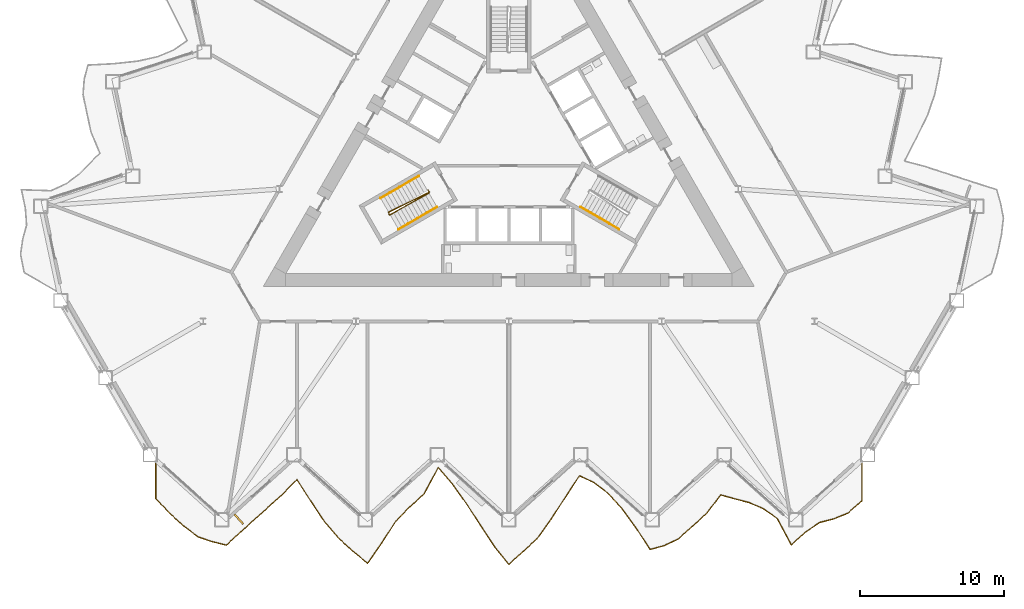
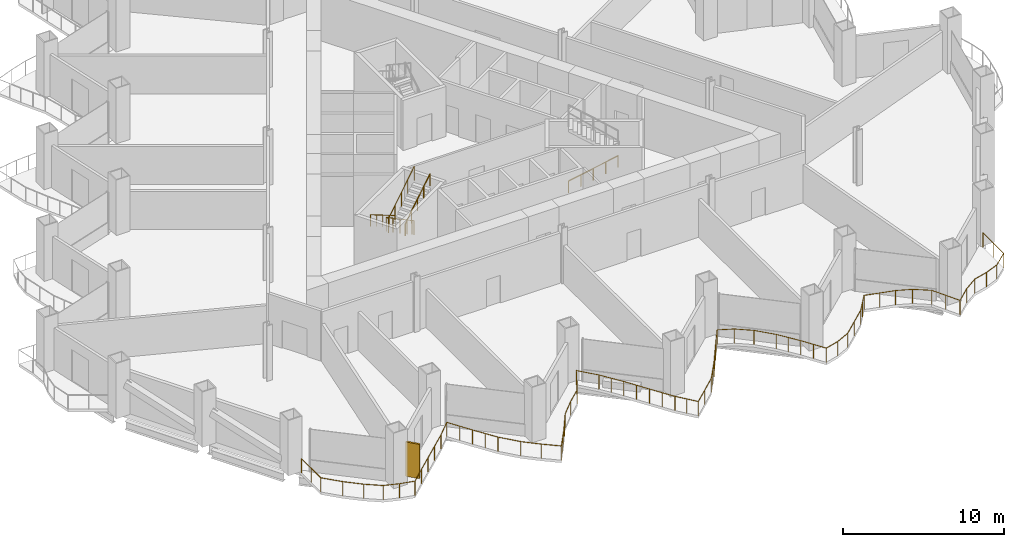
# One storey, part 16 of 20: 5 railings, 1 shading device.
"""IFC4 building model written with IfcOpenShell, lengths in metres."""

from ifc_helpers import new_model, si_unit, direction, frame, origin, origin_2d, place, context, subcontext, project, spatial, rectangle, circle, extrude, material, layer, layer_set, type_object, element, save


model = new_model("IFC4")

# Units and contexts
model_context = context("Model", 3, precision=1e-05, world=origin(), true_north=direction((0.0, 1.0)))
body_context = subcontext(model_context, "Body", "Model", "MODEL_VIEW")
ifc_project = project(units=[si_unit("LENGTHUNIT", "METRE"), si_unit("AREAUNIT", "SQUARE_METRE"), si_unit("VOLUMEUNIT", "CUBIC_METRE"), si_unit("PLANEANGLEUNIT", "RADIAN"), si_unit("MASSUNIT", "GRAM", prefix="KILO")], contexts=[model_context])

# Site, building, storey
site_placement = place(None, origin())
site = spatial("IfcSite", under=ifc_project, at=site_placement, CompositionType="ELEMENT")
building_placement = place(site_placement, origin())
building = spatial("IfcBuilding", under=site, at=building_placement, Name="Cormorant Prow Tower", CompositionType="ELEMENT")
storey_placement = place(building_placement, frame((0.0, 0.0, 59.39990234375)))
storey = spatial("IfcBuildingStorey", under=building, at=storey_placement, Name="L12", CompositionType="ELEMENT", Elevation=59.39990234375)

# Railings
ifc_material_1 = material(Name="Aluminium 6063-T6", Category="aluminium")
railing_type_1 = type_object("IfcRailingType", Name="Balcony guard 1100", PredefinedType="GUARDRAIL", material=ifc_material_1)
railing_1_placement = place(storey_placement, frame((-24.43896484375, -22.06591796875, 0.0)))
element("IfcRailing", 1, at=railing_1_placement, inside=storey, type_object=railing_type_1, Name="Balcony guard S", PredefinedType="GUARDRAIL", context=body_context, shape_type="SweptSolid", body=[
    extrude(circle(Radius=0.02392578125, at=origin_2d()), frame((0.0, 0.0, 1.076171875), z_axis=(0.0, -1.0, 0.0), x_axis=(1.0, 0.0, 0.0)), (0.0, 0.0, 1.0), 2.40380859375),
    extrude(circle(Radius=0.02392578125, at=origin_2d()), frame((0.0, -2.40380859375, 1.076171875), z_axis=(0.682749378861, -0.730652643645, 0.0), x_axis=(0.730652643645, 0.682749378861, 0.0)), (0.0, 0.0, 1.0), 1.43212890625),
    extrude(circle(Radius=0.02392578125, at=origin_2d()), frame((0.977783203125, -3.4501953125, 1.076171875), z_axis=(0.743164926257, -0.669108281507, 0.0), x_axis=(0.669108281507, 0.743164926257, 0.0)), (0.0, 0.0, 1.0), 1.3154296875),
    extrude(circle(Radius=0.02392578125, at=origin_2d()), frame((1.955322265625, -4.330322265625, 1.076171875), z_axis=(0.800191813283, -0.599744163752, 0.0), x_axis=(0.599744163752, 0.800191813283, 0.0)), (0.0, 0.0, 1.0), 1.2216796875),
    extrude(circle(Radius=0.02392578125, at=origin_2d()), frame((2.932861328125, -5.06298828125, 1.076171875), z_axis=(0.945931449226, -0.324366603344, 0.0), x_axis=(0.324366603344, 0.945931449226, 0.0)), (0.0, 0.0, 1.0), 1.033447265625),
    extrude(circle(Radius=0.02392578125, at=origin_2d()), frame((3.910400390625, -5.398193359375, 1.076171875), z_axis=(0.970710252446, -0.240253211832, 0.0), x_axis=(0.240253211832, 0.970710252446, 0.0)), (0.0, 0.0, 1.0), 1.007080078125),
    extrude(circle(Radius=0.02392578125, at=origin_2d()), frame((4.887939453125, -5.64013671875, 1.076171875), z_axis=(0.73590170634, 0.677088383156, 0.0), x_axis=(-0.677088383156, 0.73590170634, 0.0)), (0.0, 0.0, 1.0), 1.328369140625),
    extrude(circle(Radius=0.02392578125, at=origin_2d()), frame((5.865478515625, -4.74072265625, 1.076171875), z_axis=(0.743164926257, 0.669108281507, 0.0), x_axis=(-0.669108281507, 0.743164926257, 0.0)), (0.0, 0.0, 1.0), 1.3154296875),
    extrude(circle(Radius=0.02392578125, at=origin_2d()), frame((6.843017578125, -3.860595703125, 1.076171875), z_axis=(0.743164926257, 0.669108281507, 0.0), x_axis=(-0.669108281507, 0.743164926257, 0.0)), (0.0, 0.0, 1.0), 1.3154296875),
    extrude(circle(Radius=0.02392578125, at=origin_2d()), frame((7.820556640625, -2.98046875, 1.076171875), z_axis=(0.743072636804, 0.669210771307, 0.0), x_axis=(-0.669210771307, 0.743072636804, 0.0)), (0.0, 0.0, 1.0), 1.3154296875),
    extrude(circle(Radius=0.02392578125, at=origin_2d()), frame((8.798095703125, -2.10009765625, 1.076171875), z_axis=(0.703495793656, 0.710699421913, 0.0), x_axis=(-0.710699421913, 0.703495793656, 0.0)), (0.0, 0.0, 1.0), 1.3896484375),
    extrude(circle(Radius=0.02392578125, at=origin_2d()), frame((9.775634765625, -1.112548828125, 1.076171875), z_axis=(0.541707706486, -0.840566928171, 0.0), x_axis=(0.840566928171, 0.541707706486, 0.0)), (0.0, 0.0, 1.0), 1.804443359375),
    extrude(circle(Radius=0.02392578125, at=origin_2d()), frame((10.753173828125, -2.62939453125, 1.076171875), z_axis=(0.557073835636, -0.830462968259, 0.0), x_axis=(0.830462968259, 0.557073835636, 0.0)), (0.0, 0.0, 1.0), 1.7548828125),
    extrude(circle(Radius=0.02392578125, at=origin_2d()), frame((11.730712890625, -4.086669921875, 1.076171875), z_axis=(0.656227405116, -0.754563180108, 0.0), x_axis=(0.754563180108, 0.656227405116, 0.0)), (0.0, 0.0, 1.0), 1.48974609375),
    extrude(circle(Radius=0.02392578125, at=origin_2d()), frame((12.708251953125, -5.210693359375, 1.076171875), z_axis=(0.743164926257, -0.669108281507, 0.0), x_axis=(0.669108281507, 0.743164926257, 0.0)), (0.0, 0.0, 1.0), 1.3154296875),
    extrude(circle(Radius=0.02392578125, at=origin_2d()), frame((13.685791015625, -6.0908203125, 1.076171875), z_axis=(0.773087932909, -0.634298863306, 0.0), x_axis=(0.634298863306, 0.773087932909, 0.0)), (0.0, 0.0, 1.0), 1.264892578125),
    extrude(circle(Radius=0.02392578125, at=origin_2d()), frame((14.66357421875, -6.89306640625, 1.076171875), z_axis=(0.573702786451, 0.819063558473, 0.0), x_axis=(-0.819063558473, 0.573702786451, 0.0)), (0.0, 0.0, 1.0), 1.703369140625),
    extrude(circle(Radius=0.02392578125, at=origin_2d()), frame((15.640869140625, -5.497802734375, 1.076171875), z_axis=(0.542419899363, 0.840107524532, 0.0), x_axis=(-0.840107524532, 0.542419899363, 0.0)), (0.0, 0.0, 1.0), 1.802734375),
    extrude(circle(Radius=0.02392578125, at=origin_2d()), frame((16.61865234375, -3.9833984375, 1.076171875), z_axis=(0.697894538056, 0.716200540178, 0.0), x_axis=(-0.716200540178, 0.697894538056, 0.0)), (0.0, 0.0, 1.0), 1.400390625),
    extrude(circle(Radius=0.02392578125, at=origin_2d()), frame((17.595947265625, -2.98046875, 1.076171875), z_axis=(0.743155731483, 0.669118493814, 0.0), x_axis=(-0.669118493814, 0.743155731483, 0.0)), (0.0, 0.0, 1.0), 1.315673828125),
    extrude(circle(Radius=0.02392578125, at=origin_2d()), frame((18.57373046875, -2.10009765625, 1.076171875), z_axis=(0.473014567335, 0.88105460619, 0.0), x_axis=(-0.88105460619, 0.473014567335, 0.0)), (0.0, 0.0, 1.0), 2.066650390625),
    extrude(circle(Radius=0.02392578125, at=origin_2d()), frame((19.55126953125, -0.279296875, 1.076171875), z_axis=(0.658667639048, -0.75243401124, 0.0), x_axis=(0.75243401124, 0.658667639048, 0.0)), (0.0, 0.0, 1.0), 1.484130859375),
    extrude(circle(Radius=0.02392578125, at=origin_2d()), frame((20.52880859375, -1.39599609375, 1.076171875), z_axis=(0.578406056715, -0.815749001566, 0.0), x_axis=(0.815749001566, 0.578406056715, 0.0)), (0.0, 0.0, 1.0), 1.68994140625),
    extrude(circle(Radius=0.02392578125, at=origin_2d()), frame((21.50634765625, -2.774658203125, 1.076171875), z_axis=(0.543251278157, -0.839570157152, 0.0), x_axis=(0.839570157152, 0.543251278157, 0.0)), (0.0, 0.0, 1.0), 1.79931640625),
    extrude(circle(Radius=0.02392578125, at=origin_2d()), frame((22.48388671875, -4.285400390625, 1.076171875), z_axis=(0.551580869902, -0.834121420393, 0.0), x_axis=(0.834121420393, 0.551580869902, 0.0)), (0.0, 0.0, 1.0), 1.772216796875),
    extrude(circle(Radius=0.02392578125, at=origin_2d()), frame((23.46142578125, -5.763671875, 1.076171875), z_axis=(0.62928412672, -0.777175326331, 0.0), x_axis=(0.777175326331, 0.62928412672, 0.0)), (0.0, 0.0, 1.0), 1.553466796875),
    extrude(circle(Radius=0.02392578125, at=origin_2d()), frame((24.43896484375, -6.970947265625, 1.076171875), z_axis=(0.743164926257, 0.669108281507, 0.0), x_axis=(-0.669108281507, 0.743164926257, 0.0)), (0.0, 0.0, 1.0), 1.3154296875),
    extrude(circle(Radius=0.02392578125, at=origin_2d()), frame((25.41650390625, -6.0908203125, 1.076171875), z_axis=(0.737368143319, 0.675491096328, 0.0), x_axis=(-0.675491096328, 0.737368143319, 0.0)), (0.0, 0.0, 1.0), 1.32568359375),
    extrude(circle(Radius=0.02392578125, at=origin_2d()), frame((26.39404296875, -5.1953125, 1.076171875), z_axis=(0.583275794096, 0.812274182787, 0.0), x_axis=(-0.812274182787, 0.583275794096, 0.0)), (0.0, 0.0, 1.0), 1.676025390625),
    extrude(circle(Radius=0.02392578125, at=origin_2d()), frame((27.37158203125, -3.833984375, 1.076171875), z_axis=(0.544429050445, 0.838806896152, 0.0), x_axis=(-0.838806896152, 0.544429050445, 0.0)), (0.0, 0.0, 1.0), 1.79541015625),
    extrude(circle(Radius=0.02392578125, at=origin_2d()), frame((28.34912109375, -2.327880859375, 1.076171875), z_axis=(0.549306544143, 0.835620919174, 0.0), x_axis=(-0.835620919174, 0.549306544143, 0.0)), (0.0, 0.0, 1.0), 1.779541015625),
    extrude(circle(Radius=0.02392578125, at=origin_2d()), frame((29.32666015625, -0.8408203125, 1.076171875), z_axis=(0.908218126724, -0.418497113838, 0.0), x_axis=(0.418497113838, 0.908218126724, 0.0)), (0.0, 0.0, 1.0), 1.076416015625),
    extrude(circle(Radius=0.02392578125, at=origin_2d()), frame((30.30419921875, -1.291259765625, 1.076171875), z_axis=(0.797388260187, -0.60346662088, 0.0), x_axis=(0.60346662088, 0.797388260187, 0.0)), (0.0, 0.0, 1.0), 1.226318359375),
    extrude(circle(Radius=0.02392578125, at=origin_2d()), frame((31.281982421875, -2.03125, 1.076171875), z_axis=(0.675801073329, -0.737084058495, 0.0), x_axis=(0.737084058495, 0.675801073329, 0.0)), (0.0, 0.0, 1.0), 1.446044921875),
    extrude(circle(Radius=0.02392578125, at=origin_2d()), frame((32.25927734375, -3.09716796875, 1.076171875), z_axis=(0.588442486829, -0.808539077408, 0.0), x_axis=(0.808539077408, 0.588442486829, 0.0)), (0.0, 0.0, 1.0), 1.66162109375),
    extrude(circle(Radius=0.02392578125, at=origin_2d()), frame((33.237060546875, -4.440673828125, 1.076171875), z_axis=(0.545889180402, -0.837857388056, 0.0), x_axis=(0.837857388056, 0.545889180402, 0.0)), (0.0, 0.0, 1.0), 1.790283203125),
    extrude(circle(Radius=0.02392578125, at=origin_2d()), frame((34.21435546875, -5.940673828125, 1.076171875), z_axis=(0.965085625753, 0.261934600548, 0.0), x_axis=(-0.261934600548, 0.965085625753, 0.0)), (0.0, 0.0, 1.0), 1.01318359375),
    extrude(circle(Radius=0.02392578125, at=origin_2d()), frame((35.192138671875, -5.67529296875, 1.076171875), z_axis=(0.903181318322, 0.429259252939, 0.0), x_axis=(-0.429259252939, 0.903181318322, 0.0)), (0.0, 0.0, 1.0), 1.082275390625),
    extrude(circle(Radius=0.02392578125, at=origin_2d()), frame((36.169677734375, -5.210693359375, 1.076171875), z_axis=(0.743072636804, 0.669210771307, 0.0), x_axis=(-0.669210771307, 0.743072636804, 0.0)), (0.0, 0.0, 1.0), 1.3154296875),
    extrude(circle(Radius=0.02392578125, at=origin_2d()), frame((37.147216796875, -4.330322265625, 1.076171875), z_axis=(0.743164926257, 0.669108281507, 0.0), x_axis=(-0.669108281507, 0.743164926257, 0.0)), (0.0, 0.0, 1.0), 1.3154296875),
    extrude(circle(Radius=0.02392578125, at=origin_2d()), frame((38.124755859375, -3.4501953125, 1.076171875), z_axis=(0.605696771028, 0.795695558343, 0.0), x_axis=(-0.795695558343, 0.605696771028, 0.0)), (0.0, 0.0, 1.0), 1.614013671875),
    extrude(circle(Radius=0.02392578125, at=origin_2d()), frame((39.102294921875, -2.166015625, 1.076171875), z_axis=(0.964580128967, -0.263790020284, 0.0), x_axis=(0.263790020284, 0.964580128967, 0.0)), (0.0, 0.0, 1.0), 1.013427734375),
    extrude(circle(Radius=0.02392578125, at=origin_2d()), frame((40.079833984375, -2.433349609375, 1.076171875), z_axis=(0.966757908223, -0.255693462739, 0.0), x_axis=(0.255693462739, 0.966757908223, 0.0)), (0.0, 0.0, 1.0), 1.01123046875),
    extrude(circle(Radius=0.02392578125, at=origin_2d()), frame((41.057373046875, -2.69189453125, 1.076171875), z_axis=(0.921379612498, -0.3886638775, 0.0), x_axis=(0.3886638775, 0.921379612498, 0.0)), (0.0, 0.0, 1.0), 1.06103515625),
    extrude(circle(Radius=0.02392578125, at=origin_2d()), frame((42.034912109375, -3.104248046875, 1.076171875), z_axis=(0.817770816535, -0.575543996253, 0.0), x_axis=(0.575543996253, 0.817770816535, 0.0)), (0.0, 0.0, 1.0), 1.1953125),
    extrude(circle(Radius=0.02392578125, at=origin_2d()), frame((43.012451171875, -3.792236328125, 1.076171875), z_axis=(0.471394638109, -0.881922386133, 0.0), x_axis=(0.881922386133, 0.471394638109, 0.0)), (0.0, 0.0, 1.0), 2.07373046875),
    extrude(circle(Radius=0.02392578125, at=origin_2d()), frame((43.989990234375, -5.62109375, 1.076171875), z_axis=(0.743072636804, 0.669210771307, 0.0), x_axis=(-0.669210771307, 0.743072636804, 0.0)), (0.0, 0.0, 1.0), 1.3154296875),
    extrude(circle(Radius=0.02392578125, at=origin_2d()), frame((44.967529296875, -4.74072265625, 1.076171875), z_axis=(0.826515469101, 0.562914007053, 0.0), x_axis=(-0.562914007053, 0.826515469101, 0.0)), (0.0, 0.0, 1.0), 1.1826171875),
    extrude(circle(Radius=0.02392578125, at=origin_2d()), frame((45.945068359375, -4.074951171875, 1.076171875), z_axis=(0.968059952368, 0.250718823828, 0.0), x_axis=(-0.250718823828, 0.968059952368, 0.0)), (0.0, 0.0, 1.0), 1.009765625),
    extrude(circle(Radius=0.02392578125, at=origin_2d()), frame((46.922607421875, -3.82177734375, 1.076171875), z_axis=(0.927402596073, 0.374064733431, 0.0), x_axis=(-0.374064733431, 0.927402596073, 0.0)), (0.0, 0.0, 1.0), 1.053955078125),
    extrude(circle(Radius=0.02392578125, at=origin_2d()), frame((47.900146484375, -3.427490234375, 1.076171875), z_axis=(0.751866863447, 0.659314962404, 0.0), x_axis=(-0.659314962404, 0.751866863447, 0.0)), (0.0, 0.0, 1.0), 1.300537109375),
    extrude(circle(Radius=0.02392578125, at=origin_2d()), frame((48.8779296875, -2.570068359375, 1.076171875), z_axis=(0.0, 1.0, 0.0), x_axis=(-1.0, 0.0, 0.0)), (0.0, 0.0, 1.0), 2.570068359375),
    extrude(circle(Radius=0.02099609375, at=origin_2d()), origin(), (0.0, 0.0, 1.0), 1.052001953125),
    extrude(circle(Radius=0.02099609375, at=origin_2d()), frame((0.0, -1.201904296875, 0.0)), (0.0, 0.0, 1.0), 1.052001953125),
    extrude(circle(Radius=0.02099609375, at=origin_2d()), frame((0.0, -2.40380859375, 0.0)), (0.0, 0.0, 1.0), 1.052001953125),
    extrude(circle(Radius=0.02099609375, at=origin_2d()), frame((0.977783203125, -3.4501953125, 0.0)), (0.0, 0.0, 1.0), 1.052001953125),
    extrude(circle(Radius=0.02099609375, at=origin_2d()), frame((1.955322265625, -4.330322265625, 0.0)), (0.0, 0.0, 1.0), 1.052001953125),
    extrude(circle(Radius=0.02099609375, at=origin_2d()), frame((2.932861328125, -5.06298828125, 0.0)), (0.0, 0.0, 1.0), 1.052001953125),
    extrude(circle(Radius=0.02099609375, at=origin_2d()), frame((3.910400390625, -5.398193359375, 0.0)), (0.0, 0.0, 1.0), 1.052001953125),
    extrude(circle(Radius=0.02099609375, at=origin_2d()), frame((4.887939453125, -5.64013671875, 0.0)), (0.0, 0.0, 1.0), 1.052001953125),
    extrude(circle(Radius=0.02099609375, at=origin_2d()), frame((5.865478515625, -4.74072265625, 0.0)), (0.0, 0.0, 1.0), 1.052001953125),
    extrude(circle(Radius=0.02099609375, at=origin_2d()), frame((6.843017578125, -3.860595703125, 0.0)), (0.0, 0.0, 1.0), 1.052001953125),
    extrude(circle(Radius=0.02099609375, at=origin_2d()), frame((7.820556640625, -2.98046875, 0.0)), (0.0, 0.0, 1.0), 1.052001953125),
    extrude(circle(Radius=0.02099609375, at=origin_2d()), frame((8.798095703125, -2.10009765625, 0.0)), (0.0, 0.0, 1.0), 1.052001953125),
    extrude(circle(Radius=0.02099609375, at=origin_2d()), frame((9.775634765625, -1.112548828125, 0.0)), (0.0, 0.0, 1.0), 1.052001953125),
    extrude(circle(Radius=0.02099609375, at=origin_2d()), frame((10.264404296875, -1.87109375, 0.0)), (0.0, 0.0, 1.0), 1.052001953125),
    extrude(circle(Radius=0.02099609375, at=origin_2d()), frame((10.753173828125, -2.62939453125, 0.0)), (0.0, 0.0, 1.0), 1.052001953125),
    extrude(circle(Radius=0.02099609375, at=origin_2d()), frame((11.241943359375, -3.35791015625, 0.0)), (0.0, 0.0, 1.0), 1.052001953125),
    extrude(circle(Radius=0.02099609375, at=origin_2d()), frame((11.730712890625, -4.086669921875, 0.0)), (0.0, 0.0, 1.0), 1.052001953125),
    extrude(circle(Radius=0.02099609375, at=origin_2d()), frame((12.708251953125, -5.210693359375, 0.0)), (0.0, 0.0, 1.0), 1.052001953125),
    extrude(circle(Radius=0.02099609375, at=origin_2d()), frame((13.685791015625, -6.0908203125, 0.0)), (0.0, 0.0, 1.0), 1.052001953125),
    extrude(circle(Radius=0.02099609375, at=origin_2d()), frame((14.66357421875, -6.89306640625, 0.0)), (0.0, 0.0, 1.0), 1.052001953125),
    extrude(circle(Radius=0.02099609375, at=origin_2d()), frame((15.15234375, -6.1953125, 0.0)), (0.0, 0.0, 1.0), 1.052001953125),
    extrude(circle(Radius=0.02099609375, at=origin_2d()), frame((15.640869140625, -5.497802734375, 0.0)), (0.0, 0.0, 1.0), 1.052001953125),
    extrude(circle(Radius=0.02099609375, at=origin_2d()), frame((16.1298828125, -4.74072265625, 0.0)), (0.0, 0.0, 1.0), 1.052001953125),
    extrude(circle(Radius=0.02099609375, at=origin_2d()), frame((16.61865234375, -3.9833984375, 0.0)), (0.0, 0.0, 1.0), 1.052001953125),
    extrude(circle(Radius=0.02099609375, at=origin_2d()), frame((17.595947265625, -2.98046875, 0.0)), (0.0, 0.0, 1.0), 1.052001953125),
    extrude(circle(Radius=0.02099609375, at=origin_2d()), frame((18.57373046875, -2.10009765625, 0.0)), (0.0, 0.0, 1.0), 1.052001953125),
    extrude(circle(Radius=0.02099609375, at=origin_2d()), frame((19.0625, -1.189697265625, 0.0)), (0.0, 0.0, 1.0), 1.052001953125),
    extrude(circle(Radius=0.02099609375, at=origin_2d()), frame((19.55126953125, -0.279296875, 0.0)), (0.0, 0.0, 1.0), 1.052001953125),
    extrude(circle(Radius=0.02099609375, at=origin_2d()), frame((20.52880859375, -1.39599609375, 0.0)), (0.0, 0.0, 1.0), 1.052001953125),
    extrude(circle(Radius=0.02099609375, at=origin_2d()), frame((21.017578125, -2.08544921875, 0.0)), (0.0, 0.0, 1.0), 1.052001953125),
    extrude(circle(Radius=0.02099609375, at=origin_2d()), frame((21.50634765625, -2.774658203125, 0.0)), (0.0, 0.0, 1.0), 1.052001953125),
    extrude(circle(Radius=0.02099609375, at=origin_2d()), frame((21.9951171875, -3.530029296875, 0.0)), (0.0, 0.0, 1.0), 1.052001953125),
    extrude(circle(Radius=0.02099609375, at=origin_2d()), frame((22.48388671875, -4.285400390625, 0.0)), (0.0, 0.0, 1.0), 1.052001953125),
    extrude(circle(Radius=0.02099609375, at=origin_2d()), frame((22.97265625, -5.0244140625, 0.0)), (0.0, 0.0, 1.0), 1.052001953125),
    extrude(circle(Radius=0.02099609375, at=origin_2d()), frame((23.46142578125, -5.763671875, 0.0)), (0.0, 0.0, 1.0), 1.052001953125),
    extrude(circle(Radius=0.02099609375, at=origin_2d()), frame((23.9501953125, -6.3671875, 0.0)), (0.0, 0.0, 1.0), 1.052001953125),
    extrude(circle(Radius=0.02099609375, at=origin_2d()), frame((24.43896484375, -6.970947265625, 0.0)), (0.0, 0.0, 1.0), 1.052001953125),
    extrude(circle(Radius=0.02099609375, at=origin_2d()), frame((25.41650390625, -6.0908203125, 0.0)), (0.0, 0.0, 1.0), 1.052001953125),
    extrude(circle(Radius=0.02099609375, at=origin_2d()), frame((26.39404296875, -5.1953125, 0.0)), (0.0, 0.0, 1.0), 1.052001953125),
    extrude(circle(Radius=0.02099609375, at=origin_2d()), frame((26.8828125, -4.5146484375, 0.0)), (0.0, 0.0, 1.0), 1.052001953125),
    extrude(circle(Radius=0.02099609375, at=origin_2d()), frame((27.37158203125, -3.833984375, 0.0)), (0.0, 0.0, 1.0), 1.052001953125),
    extrude(circle(Radius=0.02099609375, at=origin_2d()), frame((27.8603515625, -3.0810546875, 0.0)), (0.0, 0.0, 1.0), 1.052001953125),
    extrude(circle(Radius=0.02099609375, at=origin_2d()), frame((28.34912109375, -2.327880859375, 0.0)), (0.0, 0.0, 1.0), 1.052001953125),
    extrude(circle(Radius=0.02099609375, at=origin_2d()), frame((28.837890625, -1.58447265625, 0.0)), (0.0, 0.0, 1.0), 1.052001953125),
    extrude(circle(Radius=0.02099609375, at=origin_2d()), frame((29.32666015625, -0.8408203125, 0.0)), (0.0, 0.0, 1.0), 1.052001953125),
    extrude(circle(Radius=0.02099609375, at=origin_2d()), frame((30.30419921875, -1.291259765625, 0.0)), (0.0, 0.0, 1.0), 1.052001953125),
    extrude(circle(Radius=0.02099609375, at=origin_2d()), frame((31.281982421875, -2.03125, 0.0)), (0.0, 0.0, 1.0), 1.052001953125),
    extrude(circle(Radius=0.02099609375, at=origin_2d()), frame((32.25927734375, -3.09716796875, 0.0)), (0.0, 0.0, 1.0), 1.052001953125),
    extrude(circle(Radius=0.02099609375, at=origin_2d()), frame((32.748046875, -3.76904296875, 0.0)), (0.0, 0.0, 1.0), 1.052001953125),
    extrude(circle(Radius=0.02099609375, at=origin_2d()), frame((33.237060546875, -4.440673828125, 0.0)), (0.0, 0.0, 1.0), 1.052001953125),
    extrude(circle(Radius=0.02099609375, at=origin_2d()), frame((33.7255859375, -5.190673828125, 0.0)), (0.0, 0.0, 1.0), 1.052001953125),
    extrude(circle(Radius=0.02099609375, at=origin_2d()), frame((34.21435546875, -5.940673828125, 0.0)), (0.0, 0.0, 1.0), 1.052001953125),
    extrude(circle(Radius=0.02099609375, at=origin_2d()), frame((35.192138671875, -5.67529296875, 0.0)), (0.0, 0.0, 1.0), 1.052001953125),
    extrude(circle(Radius=0.02099609375, at=origin_2d()), frame((36.169677734375, -5.210693359375, 0.0)), (0.0, 0.0, 1.0), 1.052001953125),
    extrude(circle(Radius=0.02099609375, at=origin_2d()), frame((37.147216796875, -4.330322265625, 0.0)), (0.0, 0.0, 1.0), 1.052001953125),
    extrude(circle(Radius=0.02099609375, at=origin_2d()), frame((38.124755859375, -3.4501953125, 0.0)), (0.0, 0.0, 1.0), 1.052001953125),
    extrude(circle(Radius=0.02099609375, at=origin_2d()), frame((38.613525390625, -2.80810546875, 0.0)), (0.0, 0.0, 1.0), 1.052001953125),
    extrude(circle(Radius=0.02099609375, at=origin_2d()), frame((39.102294921875, -2.166015625, 0.0)), (0.0, 0.0, 1.0), 1.052001953125),
    extrude(circle(Radius=0.02099609375, at=origin_2d()), frame((40.079833984375, -2.433349609375, 0.0)), (0.0, 0.0, 1.0), 1.052001953125),
    extrude(circle(Radius=0.02099609375, at=origin_2d()), frame((41.057373046875, -2.69189453125, 0.0)), (0.0, 0.0, 1.0), 1.052001953125),
    extrude(circle(Radius=0.02099609375, at=origin_2d()), frame((42.034912109375, -3.104248046875, 0.0)), (0.0, 0.0, 1.0), 1.052001953125),
    extrude(circle(Radius=0.02099609375, at=origin_2d()), frame((43.012451171875, -3.792236328125, 0.0)), (0.0, 0.0, 1.0), 1.052001953125),
    extrude(circle(Radius=0.02099609375, at=origin_2d()), frame((43.501220703125, -4.70654296875, 0.0)), (0.0, 0.0, 1.0), 1.052001953125),
    extrude(circle(Radius=0.02099609375, at=origin_2d()), frame((43.989990234375, -5.62109375, 0.0)), (0.0, 0.0, 1.0), 1.052001953125),
    extrude(circle(Radius=0.02099609375, at=origin_2d()), frame((44.967529296875, -4.74072265625, 0.0)), (0.0, 0.0, 1.0), 1.052001953125),
    extrude(circle(Radius=0.02099609375, at=origin_2d()), frame((45.945068359375, -4.074951171875, 0.0)), (0.0, 0.0, 1.0), 1.052001953125),
    extrude(circle(Radius=0.02099609375, at=origin_2d()), frame((46.922607421875, -3.82177734375, 0.0)), (0.0, 0.0, 1.0), 1.052001953125),
    extrude(circle(Radius=0.02099609375, at=origin_2d()), frame((47.900146484375, -3.427490234375, 0.0)), (0.0, 0.0, 1.0), 1.052001953125),
    extrude(circle(Radius=0.02099609375, at=origin_2d()), frame((48.8779296875, -2.570068359375, 0.0)), (0.0, 0.0, 1.0), 1.052001953125),
    extrude(circle(Radius=0.02099609375, at=origin_2d()), frame((48.8779296875, -1.28515625, 0.0)), (0.0, 0.0, 1.0), 1.052001953125),
    extrude(circle(Radius=0.02099609375, at=origin_2d()), frame((48.8779296875, 0.0, 0.0)), (0.0, 0.0, 1.0), 1.052001953125),
])
ifc_material_2 = material(Name="Stainless steel", Category="steel")
railing_type_2 = type_object("IfcRailingType", Name="Stair guard 1100", PredefinedType="GUARDRAIL", material=ifc_material_2)
railing_2_placement = place(storey_placement, frame((-5.585205078125, -3.137939453125, 0.0)))
element("IfcRailing", 2, at=railing_2_placement, inside=storey, type_object=railing_type_2, Name="L12 ST1 stair guard 1", PredefinedType="GUARDRAIL", context=body_context, shape_type="SweptSolid", body=[
    extrude(circle(Radius=0.02392578125, at=origin_2d()), frame((0.0, 0.0, 1.076171875), z_axis=(0.501036270542, -0.865426285481, 0.0), x_axis=(0.865426285481, 0.501036270542, 0.0)), (0.0, 0.0, 1.0), 0.150146484375),
    extrude(circle(Radius=0.02392578125, at=origin_2d()), frame((0.0751953125, -0.1298828125, 1.076171875), z_axis=(-0.744644002882, -0.368732342607, 0.556364780057), x_axis=(0.443754251299, -0.896148516963, 0.0)), (0.0, 0.0, 1.0), 3.774658203125),
    extrude(circle(Radius=0.02392578125, at=origin_2d()), frame((-2.735595703125, -1.521728515625, 3.17626953125), z_axis=(0.274721127897, -0.961523947641, 0.0), x_axis=(0.961523947641, 0.274721127897, 0.0)), (0.0, 0.0, 1.0), 0.2060546875),
    extrude(circle(Radius=0.02392578125, at=origin_2d()), frame((-2.678955078125, -1.719970703125, 3.17626953125), z_axis=(0.725738344322, 0.403670096391, 0.557094524171), x_axis=(-0.486086505765, 0.873910698477, 0.0)), (0.0, 0.0, 1.0), 3.769775390625),
    extrude(circle(Radius=0.02099609375, at=origin_2d()), origin(), (0.0, 0.0, 1.0), 1.052001953125),
    extrude(circle(Radius=0.02099609375, at=origin_2d()), frame((0.0751953125, -0.1298828125, 0.0)), (0.0, 0.0, 1.0), 1.052001953125),
    extrude(circle(Radius=0.02099609375, at=origin_2d()), frame((-0.62744140625, -0.477783203125, 0.52490234375)), (0.0, 0.0, 1.0), 1.052001953125),
    extrude(circle(Radius=0.02099609375, at=origin_2d()), frame((-1.330078125, -0.82568359375, 1.050048828125)), (0.0, 0.0, 1.0), 1.052001953125),
    extrude(circle(Radius=0.02099609375, at=origin_2d()), frame((-2.032958984375, -1.173828125, 1.5751953125)), (0.0, 0.0, 1.0), 1.052001953125),
    extrude(circle(Radius=0.02099609375, at=origin_2d()), frame((-2.735595703125, -1.521728515625, 2.10009765625)), (0.0, 0.0, 1.0), 1.052001953125),
    extrude(circle(Radius=0.02099609375, at=origin_2d()), frame((-2.678955078125, -1.719970703125, 2.10009765625)), (0.0, 0.0, 1.0), 1.052001953125),
    extrude(circle(Radius=0.02099609375, at=origin_2d()), frame((-1.9951171875, -1.339599609375, 2.625)), (0.0, 0.0, 1.0), 1.052001953125),
    extrude(circle(Radius=0.02099609375, at=origin_2d()), frame((-1.31103515625, -0.958984375, 3.150146484375)), (0.0, 0.0, 1.0), 1.052001953125),
    extrude(circle(Radius=0.02099609375, at=origin_2d()), frame((-0.626953125, -0.57861328125, 3.67529296875)), (0.0, 0.0, 1.0), 1.052001953125),
    extrude(circle(Radius=0.02099609375, at=origin_2d()), frame((0.056884765625, -0.1982421875, 4.2001953125)), (0.0, 0.0, 1.0), 1.052001953125),
])
ifc_material_3 = material(Name="Stainless steel", Category="steel")
railing_type_3 = type_object("IfcRailingType", Name="Stair handrail 900", PredefinedType="HANDRAIL", material=ifc_material_3)
railing_3_placement = place(storey_placement, frame((-6.212890625, -2.150634765625, 0.175048828125)))
element("IfcRailing", 3, at=railing_3_placement, inside=storey, type_object=railing_type_3, Name="L12 ST1 stair handrail 1", PredefinedType="HANDRAIL", context=body_context, shape_type="SweptSolid", body=[
    extrude(circle(Radius=0.02392578125, at=origin_2d()), frame((0.0, 0.0, 0.8759765625), z_axis=(-0.734394994316, -0.423994474112, 0.52999309264), x_axis=(0.499992328818, -0.866029832698, 0.0)), (0.0, 0.0, 1.0), 3.63232421875),
    extrude(circle(Radius=0.02099609375, at=origin_2d()), origin(), (0.0, 0.0, 1.0), 0.851806640625),
    extrude(circle(Radius=0.02099609375, at=origin_2d()), frame((-0.6669921875, -0.385009765625, 0.481201171875)), (0.0, 0.0, 1.0), 0.851806640625),
    extrude(circle(Radius=0.02099609375, at=origin_2d()), frame((-1.333740234375, -0.77001953125, 0.96240234375)), (0.0, 0.0, 1.0), 0.851806640625),
    extrude(circle(Radius=0.02099609375, at=origin_2d()), frame((-2.00048828125, -1.155029296875, 1.44384765625)), (0.0, 0.0, 1.0), 0.851806640625),
    extrude(circle(Radius=0.02099609375, at=origin_2d()), frame((-2.66748046875, -1.5400390625, 1.925048828125)), (0.0, 0.0, 1.0), 0.851806640625),
])
railing_4_placement = place(storey_placement, frame((-7.63623046875, -5.84521484375, 2.275146484375)))
element("IfcRailing", 4, at=railing_4_placement, inside=storey, type_object=railing_type_3, Name="L12 ST1 stair handrail 2", PredefinedType="HANDRAIL", context=body_context, shape_type="SweptSolid", body=[
    extrude(circle(Radius=0.02392578125, at=origin_2d()), frame((0.0, 0.0, 0.8759765625), z_axis=(0.734364028329, 0.424015404183, 0.530019255228), x_axis=(-0.500026652407, 0.866010015463, 0.0)), (0.0, 0.0, 1.0), 3.632080078125),
    extrude(circle(Radius=0.02099609375, at=origin_2d()), origin(), (0.0, 0.0, 1.0), 0.851806640625),
    extrude(circle(Radius=0.02099609375, at=origin_2d()), frame((0.666748046875, 0.385009765625, 0.481201171875)), (0.0, 0.0, 1.0), 0.851806640625),
    extrude(circle(Radius=0.02099609375, at=origin_2d()), frame((1.33349609375, 0.77001953125, 0.96240234375)), (0.0, 0.0, 1.0), 0.851806640625),
    extrude(circle(Radius=0.02099609375, at=origin_2d()), frame((2.00048828125, 1.155029296875, 1.44384765625)), (0.0, 0.0, 1.0), 0.851806640625),
    extrude(circle(Radius=0.02099609375, at=origin_2d()), frame((2.667236328125, 1.5400390625, 1.925048828125)), (0.0, 0.0, 1.0), 0.851806640625),
])
railing_5_placement = place(storey_placement, frame((4.968994140625, -4.30517578125, 0.175048828125)))
element("IfcRailing", 5, at=railing_5_placement, inside=storey, type_object=railing_type_3, Name="L12 ST2 stair handrail 1", PredefinedType="HANDRAIL", context=body_context, shape_type="SweptSolid", body=[
    extrude(circle(Radius=0.02392578125, at=origin_2d()), frame((0.0, 0.0, 0.8759765625), z_axis=(0.734364028329, -0.424015404183, 0.530019255228), x_axis=(0.500026652407, 0.866010015463, 0.0)), (0.0, 0.0, 1.0), 3.632080078125),
    extrude(circle(Radius=0.02099609375, at=origin_2d()), origin(), (0.0, 0.0, 1.0), 0.851806640625),
    extrude(circle(Radius=0.02099609375, at=origin_2d()), frame((0.666748046875, -0.385009765625, 0.481201171875)), (0.0, 0.0, 1.0), 0.851806640625),
    extrude(circle(Radius=0.02099609375, at=origin_2d()), frame((1.33349609375, -0.77001953125, 0.96240234375)), (0.0, 0.0, 1.0), 0.851806640625),
    extrude(circle(Radius=0.02099609375, at=origin_2d()), frame((2.00048828125, -1.155029296875, 1.44384765625)), (0.0, 0.0, 1.0), 0.851806640625),
    extrude(circle(Radius=0.02099609375, at=origin_2d()), frame((2.667236328125, -1.5400390625, 1.925048828125)), (0.0, 0.0, 1.0), 0.851806640625),
])

# Shading device
ifc_material_4 = material(Name="Terracotta", Category="masonry")
ifc_layer = layer(ifc_material_4, 0.1201171875)
ifc_layer_set = layer_set([ifc_layer], Name="Terracotta")
shading_device_type = type_object("IfcShadingDeviceType", Name="Terracotta baguette fin 120x900x2600", PredefinedType="USERDEFINED", material=ifc_layer_set)
shading_device_placement = place(storey_placement, frame((-18.682861328125, -25.910888671875, 0.0), z_axis=(0.0, 0.0, 1.0), x_axis=(0.743144808544, 0.669130625166, 0.0)))
element("IfcShadingDevice", 6, at=shading_device_placement, inside=storey, type_object=shading_device_type, Name="Baguette fin S01", ObjectType="BAGUETTE", PredefinedType="USERDEFINED", context=body_context, shape_type="SweptSolid", body=[
    extrude(rectangle(XDim=0.1201171875, YDim=0.89990234375, at=origin_2d()), origin(), (0.0, 0.0, 1.0), 2.60009765625),
])

save(model, "model.ifc")
